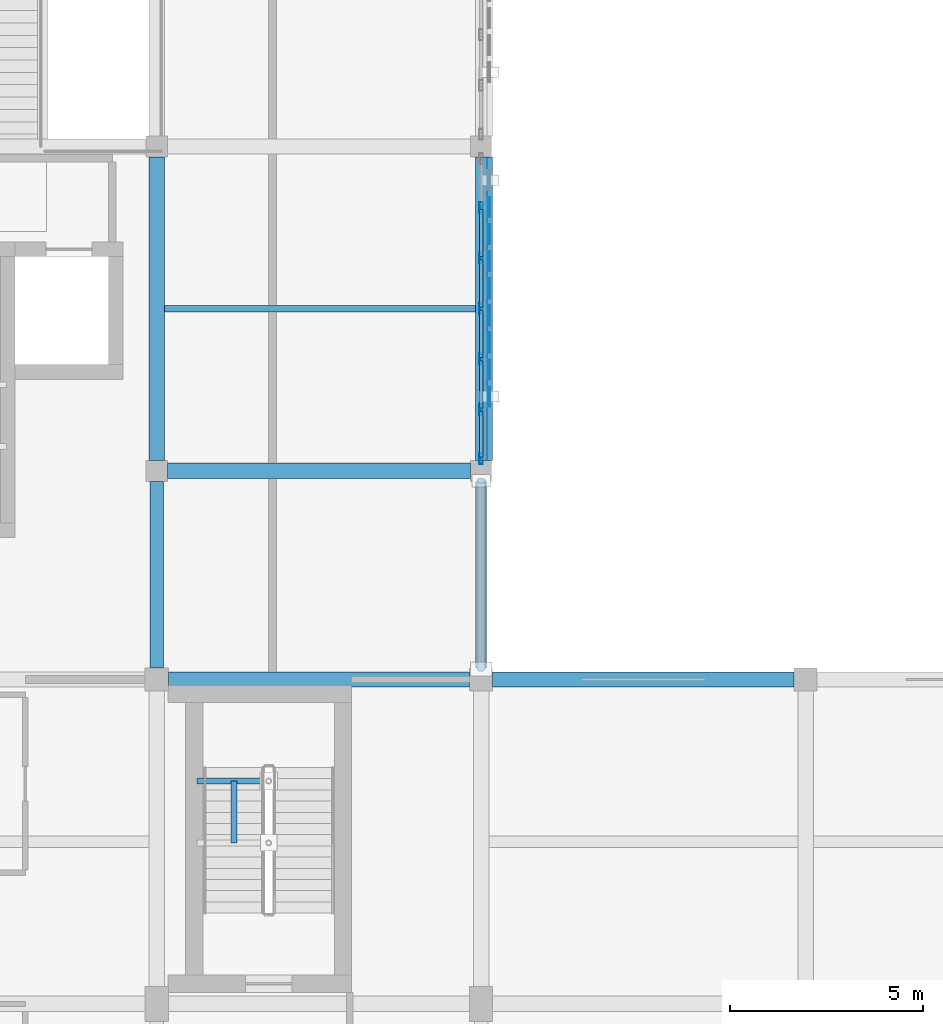
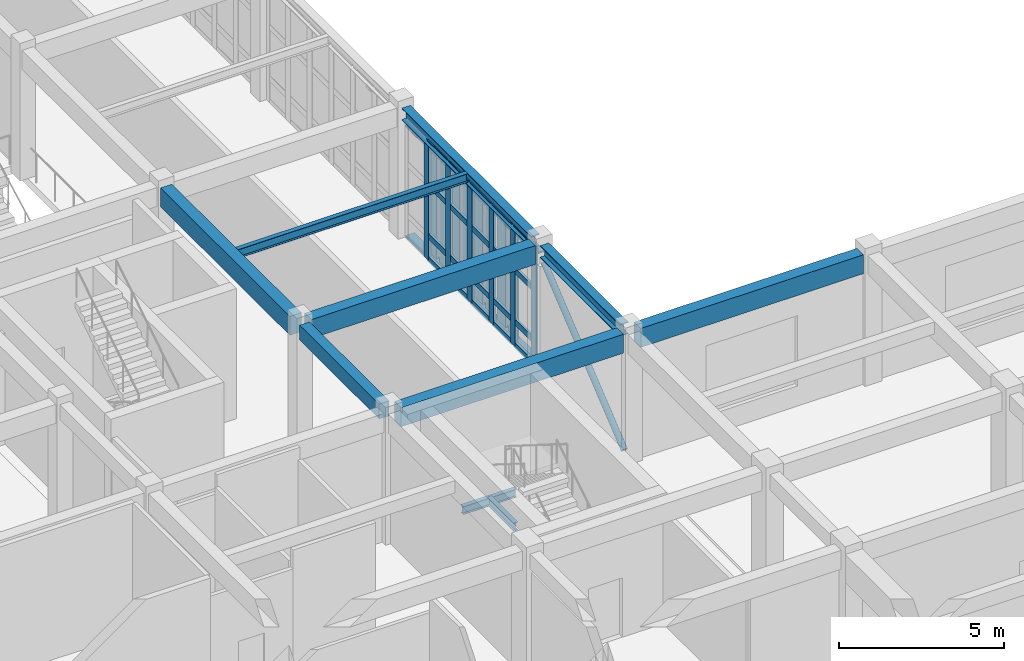
# One storey, part 20 of 93: 37 members, 10 beams, 1 element without a shape of its own.
"""IFC4 building model written with IfcOpenShell, lengths in metres."""

from ifc_helpers import new_model, si_unit, direction, frame, origin, origin_2d, place, context, subcontext, project, spatial, rectangle, hollow_rectangle, hollow_circle, i_section, extrude, material, layer, layer_set, material_profile, profile_set, type_object, element, aggregate, save


model = new_model("IFC4")

# Units and contexts
model_context = context("Model", 3, precision=1e-05, world=origin(), true_north=direction((0.0, 1.0)))
body_context = subcontext(model_context, "Body", "Model", "MODEL_VIEW")
ifc_project = project(units=[si_unit("LENGTHUNIT", "METRE"), si_unit("AREAUNIT", "SQUARE_METRE"), si_unit("VOLUMEUNIT", "CUBIC_METRE"), si_unit("PLANEANGLEUNIT", "RADIAN"), si_unit("MASSUNIT", "GRAM", prefix="KILO")], contexts=[model_context])

# Site, building, storey
site_placement = place(None, origin())
site = spatial("IfcSite", under=ifc_project, at=site_placement, CompositionType="ELEMENT")
building_placement = place(site_placement, origin())
building = spatial("IfcBuilding", under=site, at=building_placement, Name="Krzemoval Escarpment Law Courts", CompositionType="ELEMENT")
storey_placement = place(building_placement, frame((0.0, 0.0, 10.199951171875)))
storey = spatial("IfcBuildingStorey", under=building, at=storey_placement, Name="L02", CompositionType="ELEMENT", Elevation=10.199951171875)

# Beams
ifc_material_1 = material(Name="Concrete C40/50", Category="concrete")
ifc_material_profile_1 = material_profile(ifc_material_1, rectangle(XDim=0.35009765625, YDim=0.550048828125, at=origin_2d()), Name="RCB 350x550")
ifc_profile_set_1 = profile_set([ifc_material_profile_1], Name="Concrete C40/50")
beam_type_1 = type_object("IfcBeamType", Name="BM-RC-350x550", PredefinedType="BEAM", material=ifc_profile_set_1)
beam_1_placement = place(storey_placement, frame((33.60009765625, 35.699951171875, 4.545166015625), z_axis=(0.0, 1.0, 0.0), x_axis=(-1.0, 0.0, 0.0)))
element("IfcBeam", 1, at=beam_1_placement, inside=storey, type_object=beam_type_1, Name="Beam FG-L02-1894", PredefinedType="BEAM", context=body_context, shape_type="SweptSolid", body=[
    extrude(rectangle(XDim=0.35009765625, YDim=0.550048828125, at=origin_2d()), origin(), (0.0, 0.0, 1.0), 4.824951171875),
])
ifc_material_2 = material(Name="Concrete C40/50", Category="concrete")
ifc_material_profile_2 = material_profile(ifc_material_2, rectangle(XDim=0.39990234375, YDim=0.699951171875, at=origin_2d()), Name="RCB 400x700")
ifc_profile_set_2 = profile_set([ifc_material_profile_2], Name="Concrete C40/50")
beam_type_2 = type_object("IfcBeamType", Name="BM-RC-400x700", PredefinedType="BEAM", material=ifc_profile_set_2)
for number, where, z_axis, x_axis, name in (
    (2, (33.89990234375, 35.39990234375, 4.469970703125), (1.0, 0.0, 0.0), (0.0, 1.0, 0.0), "Beam FG-L02-1771"),
    (3, (42.300048828125, 35.39990234375, 4.469970703125), (1.0, 0.0, 0.0), (0.0, 1.0, 0.0), "Beam FG-L02-1772"),
):
    element("IfcBeam", number, at=place(storey_placement, frame(where, z_axis=z_axis, x_axis=x_axis)), inside=storey, type_object=beam_type_2, Name=name, PredefinedType="BEAM", context=body_context, shape_type="SweptSolid", body=[
        extrude(rectangle(XDim=0.39990234375, YDim=0.699951171875, at=origin_2d()), origin(), (0.0, 0.0, 1.0), 7.800048828125),
    ])
for number, where, z_axis, x_axis, name in (
    (4, (33.875, 40.800048828125, 4.469970703125), (1.0, 0.0, 0.0), (0.0, 1.0, 0.0), "Beam FG-L02-1787"),
    (5, (33.60009765625, 41.074951171875, 4.469970703125), (0.0, 1.0, 0.0), (-1.0, 0.0, 0.0), "Beam FG-L02-1895"),
):
    element("IfcBeam", number, at=place(storey_placement, frame(where, z_axis=z_axis, x_axis=x_axis)), inside=storey, type_object=beam_type_2, Name=name, PredefinedType="BEAM", context=body_context, shape_type="SweptSolid", body=[
        extrude(rectangle(XDim=0.39990234375, YDim=0.699951171875, at=origin_2d()), origin(), (0.0, 0.0, 1.0), 7.85009765625),
    ])

# Curtain wall, members
ifc_material_3 = material(Name="Aluminium 6063-T6", Category="aluminium")
ifc_layer = layer(ifc_material_3, 0.280029296875)
ifc_layer_set = layer_set([ifc_layer], Name="Aluminium 6063-T6")
curtain_wall_type = type_object("IfcCurtainWallType", Name="CW-HALL-5100", PredefinedType="USERDEFINED", material=ifc_layer_set)
curtain_wall_placement = place(storey_placement, origin())
curtain_wall = element("IfcCurtainWall", 6, at=curtain_wall_placement, inside=storey, type_object=curtain_wall_type, Name="Unitised Curtain Wall FCW-L02-080", ObjectType="UNITISED_CURTAIN_WALL", PredefinedType="USERDEFINED")
ifc_material_4 = material(Name="Aluminium 6063-T6", Category="aluminium")
ifc_material_profile_3 = material_profile(ifc_material_4, hollow_rectangle(XDim=0.0849609375, YDim=0.280029296875, WallThickness=0.005615234375, at=origin_2d()), Name="ALU M85x280")
ifc_profile_set_3 = profile_set([ifc_material_profile_3], Name="Aluminium 6063-T6")
member_type_1 = type_object("IfcMemberType", Name="CWM-85x280", PredefinedType="MULLION", material=ifc_profile_set_3)
member_1_placement = place(storey_placement, frame((42.0, 47.61669921875, 0.0), z_axis=(0.0, 0.0, 1.0), x_axis=(1.0, 0.0, 0.0)))
member_1 = element("IfcMember", 7, at=member_1_placement, type_object=member_type_1, Name="FCW-L02-080 mullion 2", PredefinedType="MULLION", context=body_context, shape_type="SweptSolid", body=[
    extrude(hollow_rectangle(XDim=0.0849609375, YDim=0.280029296875, WallThickness=0.005615234375, at=origin_2d()), origin(), (0.0, 0.0, 1.0), 4.3701171875),
])
member_2_placement = place(storey_placement, frame((42.0, 46.308349609375, 0.0), z_axis=(0.0, 0.0, 1.0), x_axis=(1.0, 0.0, 0.0)))
member_2 = element("IfcMember", 8, at=member_2_placement, type_object=member_type_1, Name="FCW-L02-080 mullion 3", PredefinedType="MULLION", context=body_context, shape_type="SweptSolid", body=[
    extrude(hollow_rectangle(XDim=0.0849609375, YDim=0.280029296875, WallThickness=0.005615234375, at=origin_2d()), origin(), (0.0, 0.0, 1.0), 4.3701171875),
])
member_3_placement = place(storey_placement, frame((42.0, 45.0, 0.0), z_axis=(0.0, 0.0, 1.0), x_axis=(1.0, 0.0, 0.0)))
member_3 = element("IfcMember", 9, at=member_3_placement, type_object=member_type_1, Name="FCW-L02-080 mullion 4", PredefinedType="MULLION", context=body_context, shape_type="SweptSolid", body=[
    extrude(hollow_rectangle(XDim=0.0849609375, YDim=0.280029296875, WallThickness=0.005615234375, at=origin_2d()), origin(), (0.0, 0.0, 1.0), 4.3701171875),
])
member_4_placement = place(storey_placement, frame((42.0, 43.691650390625, 0.0), z_axis=(0.0, 0.0, 1.0), x_axis=(1.0, 0.0, 0.0)))
member_4 = element("IfcMember", 10, at=member_4_placement, type_object=member_type_1, Name="FCW-L02-080 mullion 5", PredefinedType="MULLION", context=body_context, shape_type="SweptSolid", body=[
    extrude(hollow_rectangle(XDim=0.0849609375, YDim=0.280029296875, WallThickness=0.005615234375, at=origin_2d()), origin(), (0.0, 0.0, 1.0), 4.3701171875),
])
member_5_placement = place(storey_placement, frame((42.0, 42.38330078125, 0.0), z_axis=(0.0, 0.0, 1.0), x_axis=(1.0, 0.0, 0.0)))
member_5 = element("IfcMember", 11, at=member_5_placement, type_object=member_type_1, Name="FCW-L02-080 mullion 6", PredefinedType="MULLION", context=body_context, shape_type="SweptSolid", body=[
    extrude(hollow_rectangle(XDim=0.0849609375, YDim=0.280029296875, WallThickness=0.005615234375, at=origin_2d()), origin(), (0.0, 0.0, 1.0), 4.3701171875),
])
member_6_placement = place(storey_placement, frame((42.0, 41.117431640625, 0.0), z_axis=(0.0, 0.0, 1.0), x_axis=(1.0, 0.0, 0.0)))
member_6 = element("IfcMember", 12, at=member_6_placement, type_object=member_type_1, Name="FCW-L02-080 mullion 7", PredefinedType="MULLION", context=body_context, shape_type="SweptSolid", body=[
    extrude(hollow_rectangle(XDim=0.0849609375, YDim=0.280029296875, WallThickness=0.005615234375, at=origin_2d()), origin(), (0.0, 0.0, 1.0), 4.3701171875),
])
ifc_material_5 = material(Name="Aluminium 6063-T6", Category="aluminium")
ifc_material_profile_4 = material_profile(ifc_material_5, hollow_rectangle(XDim=0.0849609375, YDim=0.2099609375, WallThickness=0.005615234375, at=origin_2d()), Name="ALU T85x210")
ifc_profile_set_4 = profile_set([ifc_material_profile_4], Name="Aluminium 6063-T6")
member_type_2 = type_object("IfcMemberType", Name="CWT-85x210", PredefinedType="USERDEFINED", material=ifc_profile_set_4)
member_7_placement = place(storey_placement, frame((42.0, 47.57421875, 0.04248046875), z_axis=(0.0, -1.0, 0.0), x_axis=(1.0, 0.0, 0.0)))
member_7 = element("IfcMember", 13, at=member_7_placement, type_object=member_type_2, Name="FCW-L02-080 transom 2.1", ObjectType="TRANSOM", PredefinedType="USERDEFINED", context=body_context, shape_type="SweptSolid", body=[
    extrude(hollow_rectangle(XDim=0.0849609375, YDim=0.2099609375, WallThickness=0.005615234375, at=origin_2d()), origin(), (0.0, 0.0, 1.0), 1.223388671875),
])
member_8_placement = place(storey_placement, frame((42.0, 47.57421875, 0.900146484375), z_axis=(0.0, -1.0, 0.0), x_axis=(1.0, 0.0, 0.0)))
member_8 = element("IfcMember", 14, at=member_8_placement, type_object=member_type_2, Name="FCW-L02-080 transom 2.2", ObjectType="TRANSOM", PredefinedType="USERDEFINED", context=body_context, shape_type="SweptSolid", body=[
    extrude(hollow_rectangle(XDim=0.0849609375, YDim=0.2099609375, WallThickness=0.005615234375, at=origin_2d()), origin(), (0.0, 0.0, 1.0), 1.223388671875),
])
member_9_placement = place(storey_placement, frame((42.0, 47.57421875, 2.800048828125), z_axis=(0.0, -1.0, 0.0), x_axis=(1.0, 0.0, 0.0)))
member_9 = element("IfcMember", 15, at=member_9_placement, type_object=member_type_2, Name="FCW-L02-080 transom 2.3", ObjectType="TRANSOM", PredefinedType="USERDEFINED", context=body_context, shape_type="SweptSolid", body=[
    extrude(hollow_rectangle(XDim=0.0849609375, YDim=0.2099609375, WallThickness=0.005615234375, at=origin_2d()), origin(), (0.0, 0.0, 1.0), 1.223388671875),
])
member_10_placement = place(storey_placement, frame((42.0, 47.57421875, 4.32763671875), z_axis=(0.0, -1.0, 0.0), x_axis=(1.0, 0.0, 0.0)))
member_10 = element("IfcMember", 16, at=member_10_placement, type_object=member_type_2, Name="FCW-L02-080 transom 2.4", ObjectType="TRANSOM", PredefinedType="USERDEFINED", context=body_context, shape_type="SweptSolid", body=[
    extrude(hollow_rectangle(XDim=0.0849609375, YDim=0.2099609375, WallThickness=0.005615234375, at=origin_2d()), origin(), (0.0, 0.0, 1.0), 1.223388671875),
])
member_11_placement = place(storey_placement, frame((42.0, 46.265869140625, 0.04248046875), z_axis=(0.0, -1.0, 0.0), x_axis=(1.0, 0.0, 0.0)))
member_11 = element("IfcMember", 17, at=member_11_placement, type_object=member_type_2, Name="FCW-L02-080 transom 3.1", ObjectType="TRANSOM", PredefinedType="USERDEFINED", context=body_context, shape_type="SweptSolid", body=[
    extrude(hollow_rectangle(XDim=0.0849609375, YDim=0.2099609375, WallThickness=0.005615234375, at=origin_2d()), origin(), (0.0, 0.0, 1.0), 1.223388671875),
])
member_12_placement = place(storey_placement, frame((42.0, 46.265869140625, 0.900146484375), z_axis=(0.0, -1.0, 0.0), x_axis=(1.0, 0.0, 0.0)))
member_12 = element("IfcMember", 18, at=member_12_placement, type_object=member_type_2, Name="FCW-L02-080 transom 3.2", ObjectType="TRANSOM", PredefinedType="USERDEFINED", context=body_context, shape_type="SweptSolid", body=[
    extrude(hollow_rectangle(XDim=0.0849609375, YDim=0.2099609375, WallThickness=0.005615234375, at=origin_2d()), origin(), (0.0, 0.0, 1.0), 1.223388671875),
])
member_13_placement = place(storey_placement, frame((42.0, 46.265869140625, 2.800048828125), z_axis=(0.0, -1.0, 0.0), x_axis=(1.0, 0.0, 0.0)))
member_13 = element("IfcMember", 19, at=member_13_placement, type_object=member_type_2, Name="FCW-L02-080 transom 3.3", ObjectType="TRANSOM", PredefinedType="USERDEFINED", context=body_context, shape_type="SweptSolid", body=[
    extrude(hollow_rectangle(XDim=0.0849609375, YDim=0.2099609375, WallThickness=0.005615234375, at=origin_2d()), origin(), (0.0, 0.0, 1.0), 1.223388671875),
])
member_14_placement = place(storey_placement, frame((42.0, 46.265869140625, 4.32763671875), z_axis=(0.0, -1.0, 0.0), x_axis=(1.0, 0.0, 0.0)))
member_14 = element("IfcMember", 20, at=member_14_placement, type_object=member_type_2, Name="FCW-L02-080 transom 3.4", ObjectType="TRANSOM", PredefinedType="USERDEFINED", context=body_context, shape_type="SweptSolid", body=[
    extrude(hollow_rectangle(XDim=0.0849609375, YDim=0.2099609375, WallThickness=0.005615234375, at=origin_2d()), origin(), (0.0, 0.0, 1.0), 1.223388671875),
])
member_15_placement = place(storey_placement, frame((42.0, 44.95751953125, 0.04248046875), z_axis=(0.0, -1.0, 0.0), x_axis=(1.0, 0.0, 0.0)))
member_15 = element("IfcMember", 21, at=member_15_placement, type_object=member_type_2, Name="FCW-L02-080 transom 4.1", ObjectType="TRANSOM", PredefinedType="USERDEFINED", context=body_context, shape_type="SweptSolid", body=[
    extrude(hollow_rectangle(XDim=0.0849609375, YDim=0.2099609375, WallThickness=0.005615234375, at=origin_2d()), origin(), (0.0, 0.0, 1.0), 1.223388671875),
])
member_16_placement = place(storey_placement, frame((42.0, 44.95751953125, 0.900146484375), z_axis=(0.0, -1.0, 0.0), x_axis=(1.0, 0.0, 0.0)))
member_16 = element("IfcMember", 22, at=member_16_placement, type_object=member_type_2, Name="FCW-L02-080 transom 4.2", ObjectType="TRANSOM", PredefinedType="USERDEFINED", context=body_context, shape_type="SweptSolid", body=[
    extrude(hollow_rectangle(XDim=0.0849609375, YDim=0.2099609375, WallThickness=0.005615234375, at=origin_2d()), origin(), (0.0, 0.0, 1.0), 1.223388671875),
])
member_17_placement = place(storey_placement, frame((42.0, 44.95751953125, 2.800048828125), z_axis=(0.0, -1.0, 0.0), x_axis=(1.0, 0.0, 0.0)))
member_17 = element("IfcMember", 23, at=member_17_placement, type_object=member_type_2, Name="FCW-L02-080 transom 4.3", ObjectType="TRANSOM", PredefinedType="USERDEFINED", context=body_context, shape_type="SweptSolid", body=[
    extrude(hollow_rectangle(XDim=0.0849609375, YDim=0.2099609375, WallThickness=0.005615234375, at=origin_2d()), origin(), (0.0, 0.0, 1.0), 1.223388671875),
])
member_18_placement = place(storey_placement, frame((42.0, 44.95751953125, 4.32763671875), z_axis=(0.0, -1.0, 0.0), x_axis=(1.0, 0.0, 0.0)))
member_18 = element("IfcMember", 24, at=member_18_placement, type_object=member_type_2, Name="FCW-L02-080 transom 4.4", ObjectType="TRANSOM", PredefinedType="USERDEFINED", context=body_context, shape_type="SweptSolid", body=[
    extrude(hollow_rectangle(XDim=0.0849609375, YDim=0.2099609375, WallThickness=0.005615234375, at=origin_2d()), origin(), (0.0, 0.0, 1.0), 1.223388671875),
])
member_19_placement = place(storey_placement, frame((42.0, 43.649169921875, 0.04248046875), z_axis=(0.0, -1.0, 0.0), x_axis=(1.0, 0.0, 0.0)))
member_19 = element("IfcMember", 25, at=member_19_placement, type_object=member_type_2, Name="FCW-L02-080 transom 5.1", ObjectType="TRANSOM", PredefinedType="USERDEFINED", context=body_context, shape_type="SweptSolid", body=[
    extrude(hollow_rectangle(XDim=0.0849609375, YDim=0.2099609375, WallThickness=0.005615234375, at=origin_2d()), origin(), (0.0, 0.0, 1.0), 1.223388671875),
])
member_20_placement = place(storey_placement, frame((42.0, 43.649169921875, 0.900146484375), z_axis=(0.0, -1.0, 0.0), x_axis=(1.0, 0.0, 0.0)))
member_20 = element("IfcMember", 26, at=member_20_placement, type_object=member_type_2, Name="FCW-L02-080 transom 5.2", ObjectType="TRANSOM", PredefinedType="USERDEFINED", context=body_context, shape_type="SweptSolid", body=[
    extrude(hollow_rectangle(XDim=0.0849609375, YDim=0.2099609375, WallThickness=0.005615234375, at=origin_2d()), origin(), (0.0, 0.0, 1.0), 1.223388671875),
])
member_21_placement = place(storey_placement, frame((42.0, 43.649169921875, 2.800048828125), z_axis=(0.0, -1.0, 0.0), x_axis=(1.0, 0.0, 0.0)))
member_21 = element("IfcMember", 27, at=member_21_placement, type_object=member_type_2, Name="FCW-L02-080 transom 5.3", ObjectType="TRANSOM", PredefinedType="USERDEFINED", context=body_context, shape_type="SweptSolid", body=[
    extrude(hollow_rectangle(XDim=0.0849609375, YDim=0.2099609375, WallThickness=0.005615234375, at=origin_2d()), origin(), (0.0, 0.0, 1.0), 1.223388671875),
])
member_22_placement = place(storey_placement, frame((42.0, 43.649169921875, 4.32763671875), z_axis=(0.0, -1.0, 0.0), x_axis=(1.0, 0.0, 0.0)))
member_22 = element("IfcMember", 28, at=member_22_placement, type_object=member_type_2, Name="FCW-L02-080 transom 5.4", ObjectType="TRANSOM", PredefinedType="USERDEFINED", context=body_context, shape_type="SweptSolid", body=[
    extrude(hollow_rectangle(XDim=0.0849609375, YDim=0.2099609375, WallThickness=0.005615234375, at=origin_2d()), origin(), (0.0, 0.0, 1.0), 1.223388671875),
])
member_23_placement = place(storey_placement, frame((42.0, 42.3408203125, 0.04248046875), z_axis=(0.0, -1.0, 0.0), x_axis=(1.0, 0.0, 0.0)))
member_23 = element("IfcMember", 29, at=member_23_placement, type_object=member_type_2, Name="FCW-L02-080 transom 6.1", ObjectType="TRANSOM", PredefinedType="USERDEFINED", context=body_context, shape_type="SweptSolid", body=[
    extrude(hollow_rectangle(XDim=0.0849609375, YDim=0.2099609375, WallThickness=0.005615234375, at=origin_2d()), origin(), (0.0, 0.0, 1.0), 1.180908203125),
])
member_24_placement = place(storey_placement, frame((42.0, 42.3408203125, 0.900146484375), z_axis=(0.0, -1.0, 0.0), x_axis=(1.0, 0.0, 0.0)))
member_24 = element("IfcMember", 30, at=member_24_placement, type_object=member_type_2, Name="FCW-L02-080 transom 6.2", ObjectType="TRANSOM", PredefinedType="USERDEFINED", context=body_context, shape_type="SweptSolid", body=[
    extrude(hollow_rectangle(XDim=0.0849609375, YDim=0.2099609375, WallThickness=0.005615234375, at=origin_2d()), origin(), (0.0, 0.0, 1.0), 1.180908203125),
])
member_25_placement = place(storey_placement, frame((42.0, 42.3408203125, 2.800048828125), z_axis=(0.0, -1.0, 0.0), x_axis=(1.0, 0.0, 0.0)))
member_25 = element("IfcMember", 31, at=member_25_placement, type_object=member_type_2, Name="FCW-L02-080 transom 6.3", ObjectType="TRANSOM", PredefinedType="USERDEFINED", context=body_context, shape_type="SweptSolid", body=[
    extrude(hollow_rectangle(XDim=0.0849609375, YDim=0.2099609375, WallThickness=0.005615234375, at=origin_2d()), origin(), (0.0, 0.0, 1.0), 1.180908203125),
])
member_26_placement = place(storey_placement, frame((42.0, 42.3408203125, 4.32763671875), z_axis=(0.0, -1.0, 0.0), x_axis=(1.0, 0.0, 0.0)))
member_26 = element("IfcMember", 32, at=member_26_placement, type_object=member_type_2, Name="FCW-L02-080 transom 6.4", ObjectType="TRANSOM", PredefinedType="USERDEFINED", context=body_context, shape_type="SweptSolid", body=[
    extrude(hollow_rectangle(XDim=0.0849609375, YDim=0.2099609375, WallThickness=0.005615234375, at=origin_2d()), origin(), (0.0, 0.0, 1.0), 1.180908203125),
])
aggregate(curtain_wall, [member_1, member_2, member_3, member_4, member_5, member_6, member_7, member_8, member_9, member_10, member_11, member_12, member_13, member_14, member_15, member_16, member_17, member_18, member_19, member_20, member_21, member_22, member_23, member_24, member_25, member_26])

# Beams
ifc_material_6 = material(Name="Steel S355", Category="steel")
ifc_material_profile_5 = material_profile(ifc_material_6, i_section(OverallWidth=0.14990234375, OverallDepth=0.300048828125, WebThickness=0.007080078125, FlangeThickness=0.0107421875, at=origin_2d()), Name="IPE 300")
ifc_profile_set_5 = profile_set([ifc_material_profile_5], Name="Steel S355")
beam_type_3 = type_object("IfcBeamType", Name="JST-S355-IPE300", PredefinedType="JOIST", material=ifc_profile_set_5)
beam_2_placement = place(storey_placement, frame((36.5, 32.77001953125, 2.27001953125), z_axis=(-1.0, 0.0, 0.0), x_axis=(0.0, -1.0, 0.0)))
element("IfcBeam", 33, at=beam_2_placement, inside=storey, type_object=beam_type_3, Name="Stair Well Crosshead SLHW-C7-L02-1", PredefinedType="JOIST", context=body_context, shape_type="SweptSolid", body=[
    extrude(i_section(OverallWidth=0.14990234375, OverallDepth=0.300048828125, WebThickness=0.007080078125, FlangeThickness=0.0107421875, at=origin_2d()), origin(), (0.0, 0.0, 1.0), 1.860107421875),
])
beam_3_placement = place(storey_placement, frame((35.60009765625, 32.77001953125, 2.27001953125), z_axis=(0.0, -1.0, 0.0), x_axis=(1.0, 0.0, 0.0)))
element("IfcBeam", 34, at=beam_3_placement, inside=storey, type_object=beam_type_3, Name="Stair Flight Support Stringer SLTW-C7-L02", PredefinedType="JOIST", context=body_context, shape_type="SweptSolid", body=[
    extrude(i_section(OverallWidth=0.14990234375, OverallDepth=0.300048828125, WebThickness=0.007080078125, FlangeThickness=0.0107421875, at=origin_2d()), origin(), (0.0, 0.0, 1.0), 1.60009765625),
])
ifc_material_7 = material(Name="Steel S355", Category="steel")
ifc_material_profile_6 = material_profile(ifc_material_7, i_section(OverallWidth=0.159912109375, OverallDepth=0.330078125, WebThickness=0.007568359375, FlangeThickness=0.011474609375, at=origin_2d()), Name="IPE 330")
ifc_profile_set_6 = profile_set([ifc_material_profile_6], Name="Steel S355")
beam_type_4 = type_object("IfcBeamType", Name="JST-S355-IPE330", PredefinedType="JOIST", material=ifc_profile_set_6)
beam_4_placement = place(storey_placement, frame((33.800048828125, 45.0, 4.655029296875), z_axis=(1.0, 0.0, 0.0), x_axis=(0.0, 1.0, 0.0)))
element("IfcBeam", 35, at=beam_4_placement, inside=storey, type_object=beam_type_4, Name="Secondary Joist FJ-L02-2025", PredefinedType="JOIST", context=body_context, shape_type="SweptSolid", body=[
    extrude(i_section(OverallWidth=0.159912109375, OverallDepth=0.330078125, WebThickness=0.007568359375, FlangeThickness=0.011474609375, at=origin_2d()), origin(), (0.0, 0.0, 1.0), 8.050048828125),
])

# Members
ifc_material_8 = material(Name="Anodised Aluminium Alloy 6063-T6", Category="aluminium")
ifc_material_profile_7 = material_profile(ifc_material_8, hollow_rectangle(XDim=0.06005859375, YDim=0.320068359375, WallThickness=0.00390625, at=origin_2d()), Name="ALU LVR 60x320")
ifc_profile_set_7 = profile_set([ifc_material_profile_7], Name="Anodised Aluminium Alloy 6063-T6")
member_type_3 = type_object("IfcMemberType", Name="LVR-ALU-320", PredefinedType="USERDEFINED", material=ifc_profile_set_7)
for number, where, z_axis, x_axis, name in (
    (36, (42.139892578125, 48.925048828125, 0.030029296875), (0.0, -1.0, 0.0), (0.0, 0.0, 1.0), "Sunshade Support Rail FSR-L02-0518"),
    (37, (42.139892578125, 48.925048828125, 4.1201171875), (0.0, -1.0, 0.0), (0.0, 0.0, 1.0), "Sunshade Support Rail FSR-L02-0519"),
):
    element("IfcMember", number, at=place(storey_placement, frame(where, z_axis=z_axis, x_axis=x_axis)), inside=storey, type_object=member_type_3, Name=name, ObjectType="SUNSHADE_LOUVRE", PredefinedType="USERDEFINED", context=body_context, shape_type="SweptSolid", body=[
        extrude(hollow_rectangle(XDim=0.06005859375, YDim=0.320068359375, WallThickness=0.00390625, at=origin_2d()), origin(), (0.0, 0.0, 1.0), 7.85009765625),
    ])
ifc_material_9 = material(Name="Anodised Aluminium Alloy 6063-T6", Category="aluminium")
ifc_material_profile_8 = material_profile(ifc_material_9, hollow_rectangle(XDim=0.06494140625, YDim=0.52001953125, WallThickness=0.00439453125, at=origin_2d()), Name="ALU LVR 65x520")
ifc_profile_set_8 = profile_set([ifc_material_profile_8], Name="Anodised Aluminium Alloy 6063-T6")
member_type_4 = type_object("IfcMemberType", Name="LVR-ALU-520", PredefinedType="USERDEFINED", material=ifc_profile_set_8)
for number, where, z_axis, x_axis, name in (
    (38, (42.199951171875, 47.625, 0.06005859375), (0.0, 0.0, 1.0), (1.0, 0.0, 0.0), "Sunshade Louvre Fin FLV-L02-0521"),
    (39, (42.199951171875, 46.925048828125, 0.06005859375), (0.0, 0.0, 1.0), (1.0, 0.0, 0.0), "Sunshade Louvre Fin FLV-L02-0522"),
    (40, (42.199951171875, 46.22509765625, 0.06005859375), (0.0, 0.0, 1.0), (1.0, 0.0, 0.0), "Sunshade Louvre Fin FLV-L02-0523"),
    (41, (42.199951171875, 45.52490234375, 0.06005859375), (0.0, 0.0, 1.0), (1.0, 0.0, 0.0), "Sunshade Louvre Fin FLV-L02-0524"),
    (42, (42.199951171875, 44.824951171875, 0.06005859375), (0.0, 0.0, 1.0), (1.0, 0.0, 0.0), "Sunshade Louvre Fin FLV-L02-0525"),
    (43, (42.199951171875, 44.125, 0.06005859375), (0.0, 0.0, 1.0), (1.0, 0.0, 0.0), "Sunshade Louvre Fin FLV-L02-0526"),
    (44, (42.199951171875, 43.425048828125, 0.06005859375), (0.0, 0.0, 1.0), (1.0, 0.0, 0.0), "Sunshade Louvre Fin FLV-L02-0527"),
    (45, (42.199951171875, 42.72509765625, 0.06005859375), (0.0, 0.0, 1.0), (1.0, 0.0, 0.0), "Sunshade Louvre Fin FLV-L02-0528"),
):
    element("IfcMember", number, at=place(storey_placement, frame(where, z_axis=z_axis, x_axis=x_axis)), inside=storey, type_object=member_type_4, Name=name, ObjectType="SUNSHADE_LOUVRE", PredefinedType="USERDEFINED", context=body_context, shape_type="SweptSolid", body=[
        extrude(hollow_rectangle(XDim=0.06494140625, YDim=0.52001953125, WallThickness=0.00439453125, at=origin_2d()), origin(), (0.0, 0.0, 1.0), 4.31005859375),
    ])
ifc_material_10 = material(Name="Steel S355", Category="steel")
ifc_material_profile_9 = material_profile(ifc_material_10, hollow_circle(Radius=0.109619140625, WallThickness=0.010009765625, at=origin_2d()), Name="CHS 219.1x10")
ifc_profile_set_9 = profile_set([ifc_material_profile_9], Name="Steel S355")
member_type_5 = type_object("IfcMemberType", Name="MBR-BRC-CHS219", PredefinedType="BRACE", material=ifc_profile_set_9)
member_27_placement = place(storey_placement, frame((42.0, 35.675048828125, 0.14013671875), z_axis=(0.0, 0.773073370483, 0.634316611678), x_axis=(-1.0, 0.0, 0.0)))
element("IfcMember", 46, at=member_27_placement, inside=storey, type_object=member_type_5, Name="Lateral Diagonal Brace BR-0244", PredefinedType="BRACE", context=body_context, shape_type="SweptSolid", body=[
    extrude(hollow_circle(Radius=0.109619140625, WallThickness=0.010009765625, at=origin_2d()), origin(), (0.0, 0.0, 1.0), 6.305908203125),
])

# Beams
ifc_material_11 = material(Name="Steel S355", Category="steel")
ifc_material_profile_10 = material_profile(ifc_material_11, i_section(OverallWidth=0.300048828125, OverallDepth=0.449951171875, WebThickness=0.013916015625, FlangeThickness=0.02587890625, at=origin_2d()), Name="HEB 450")
ifc_profile_set_10 = profile_set([ifc_material_profile_10], Name="Steel S355")
beam_type_5 = type_object("IfcBeamType", Name="SPN-S355-HEB450", PredefinedType="SPANDREL", material=ifc_profile_set_10)
beam_5_placement = place(storey_placement, frame((42.0, 35.699951171875, 4.594970703125), z_axis=(0.0, 1.0, 0.0), x_axis=(-1.0, 0.0, 0.0)))
element("IfcBeam", 47, at=beam_5_placement, inside=storey, type_object=beam_type_5, Name="Beam FG-L02-1909", PredefinedType="SPANDREL", context=body_context, shape_type="SweptSolid", body=[
    extrude(i_section(OverallWidth=0.300048828125, OverallDepth=0.449951171875, WebThickness=0.013916015625, FlangeThickness=0.02587890625, at=origin_2d()), origin(), (0.0, 0.0, 1.0), 4.824951171875),
])
beam_6_placement = place(storey_placement, frame((42.0, 41.074951171875, 4.594970703125), z_axis=(0.0, 1.0, 0.0), x_axis=(-1.0, 0.0, 0.0)))
element("IfcBeam", 48, at=beam_6_placement, inside=storey, type_object=beam_type_5, Name="Beam FG-L02-1910", PredefinedType="SPANDREL", context=body_context, shape_type="SweptSolid", body=[
    extrude(i_section(OverallWidth=0.300048828125, OverallDepth=0.449951171875, WebThickness=0.013916015625, FlangeThickness=0.02587890625, at=origin_2d()), origin(), (0.0, 0.0, 1.0), 7.85009765625),
])

save(model, "model.ifc")
